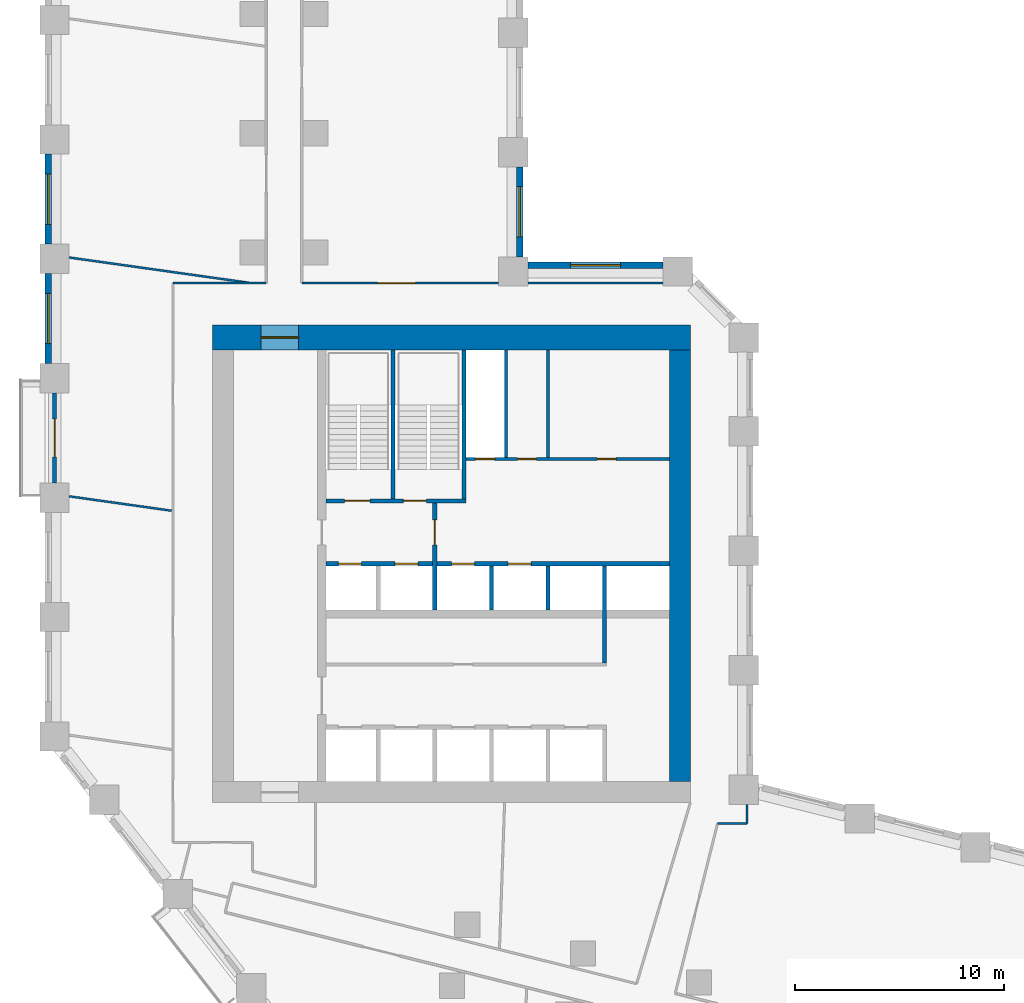
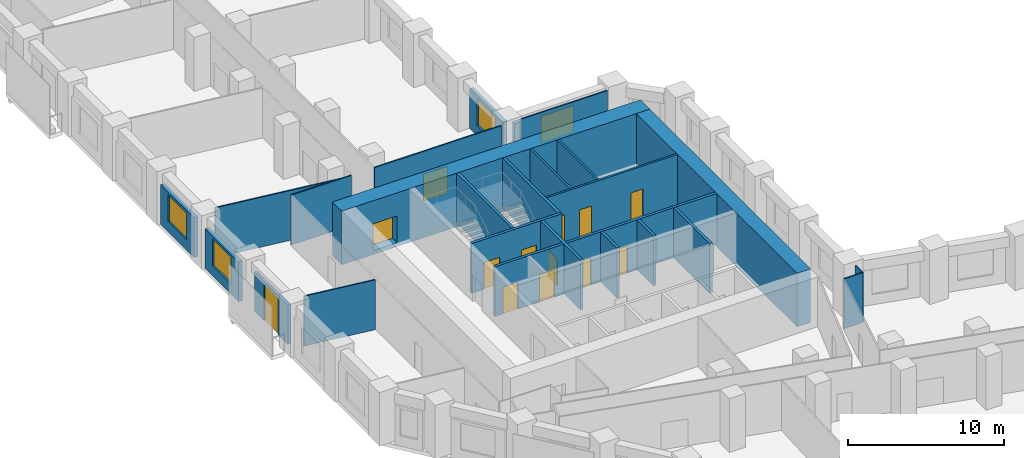
# One storey, part 5 of 11: 25 walls, 13 doors, 4 windows, 17 openings.
"""IFC4 building model written with IfcOpenShell, lengths in metres."""

import ifcopenshell
import ifcopenshell.guid

model = None  # the IFC model being written
_history = None  # IfcOwnerHistory: only IFC2X3 demands one
_inside = {}  # id of a spatial element -> (the spatial element, [elements in it])
_under = {}  # id of a project, library or spatial element -> (it, [spatial elements below it])
_declared = {}  # id of a project -> (the project, [libraries it declares])
_typed = {}  # id of a type object -> (the type object, [elements of that type])
_made_of = {}  # id of a material, layer set ... -> (it, [elements and type objects made of it])


def new_model(schema):
    """Start an empty IFC model of exactly this schema.

    Asked for "IFC4X3", IfcOpenShell would pick the latest addendum, in which some entities
    have other attributes; the version numbers below select the first issue.
    IFC2X3 requires an IfcOwnerHistory on every rooted entity: one is made here for all.
    """
    global model, _history
    if schema == "IFC4X3":
        model = ifcopenshell.file(schema_version=(4, 3, 0, 0))
    else:
        model = ifcopenshell.file(schema=schema)
    _inside.clear()
    _under.clear()
    _declared.clear()
    _typed.clear()
    _made_of.clear()
    _history = None
    if model.schema == "IFC2X3":
        org = make("IfcOrganization", Name="unknown")
        user = make(
            "IfcPersonAndOrganization",
            ThePerson=make("IfcPerson", FamilyName="unknown"),
            TheOrganization=org,
        )
        app = make(
            "IfcApplication",
            ApplicationDeveloper=org,
            Version="unknown",
            ApplicationFullName="unknown",
            ApplicationIdentifier="unknown",
        )
        _history = make(
            "IfcOwnerHistory",
            OwningUser=user,
            OwningApplication=app,
            ChangeAction="ADDED",
            CreationDate=0,
        )
    return model


def make(cls, **values):
    """One entity of the class cls with the attributes given. An attribute that is None is left unset."""
    return model.create_entity(
        cls, **{name: value for name, value in values.items() if value is not None}
    )


def rooted(cls, **values):
    """An entity with a GlobalId (a new one), such as an element, a storey or a relation."""
    return make(cls, GlobalId=ifcopenshell.guid.new(), OwnerHistory=_history, **values)


def si_unit(unit_type, name, prefix=None):
    """IfcSIUnit, for example si_unit("LENGTHUNIT", "METRE", prefix="MILLI")."""
    return make("IfcSIUnit", UnitType=unit_type, Prefix=prefix, Name=name)


def assignment(units):
    """IfcUnitAssignment: the units of a project."""
    return None if units is None else make("IfcUnitAssignment", Units=units)


def point(xyz):
    """IfcCartesianPoint."""
    return None if xyz is None else make("IfcCartesianPoint", Coordinates=xyz)


def direction(xyz):
    """IfcDirection."""
    return None if xyz is None else make("IfcDirection", DirectionRatios=xyz)


def frame(location, z_axis=None, x_axis=None):
    """IfcAxis2Placement3D, a coordinate frame: its origin and axes. An axis left out is left unset."""
    return make(
        "IfcAxis2Placement3D",
        Location=point(location),
        Axis=direction(z_axis),
        RefDirection=direction(x_axis),
    )


def frame_2d(location, x_axis=None):
    """IfcAxis2Placement2D, a coordinate frame in the plane: its origin and x axis."""
    return make(
        "IfcAxis2Placement2D", Location=point(location), RefDirection=direction(x_axis)
    )


def origin():
    """The frame at (0, 0, 0) with its axes left unset."""
    return frame((0.0, 0.0, 0.0))


def place(relative_to, where):
    """IfcLocalPlacement: puts the frame where relative to a parent placement (None: the world)."""
    return make(
        "IfcLocalPlacement", PlacementRelTo=relative_to, RelativePlacement=where
    )


def context(
    kind, dimensions, precision=None, world=None, true_north=None, identifier=None
):
    """IfcGeometricRepresentationContext, for example the 3D "Model" context."""
    return make(
        "IfcGeometricRepresentationContext",
        ContextIdentifier=identifier,
        ContextType=kind,
        CoordinateSpaceDimension=dimensions,
        Precision=precision,
        WorldCoordinateSystem=world,
        TrueNorth=true_north,
    )


def subcontext(parent, identifier, kind, view, scale=None):
    """IfcGeometricRepresentationSubContext, for example "Body" below "Model"."""
    return make(
        "IfcGeometricRepresentationSubContext",
        ContextIdentifier=identifier,
        ContextType=kind,
        ParentContext=parent,
        TargetScale=scale,
        TargetView=view,
    )


def project(units=None, contexts=None):
    """IfcProject with its units and contexts."""
    return rooted(
        "IfcProject",
        Name="project",
        RepresentationContexts=contexts,
        UnitsInContext=assignment(units),
    )


def spatial(cls, under=None, at=None, **own):
    """A site, building, storey or space (cls), placed at a placement, below another one or the project."""
    s = rooted(cls, ObjectPlacement=at, **own)
    if under is not None:
        _under.setdefault(under.id(), (under, []))[1].append(s)
    return s


def profile(cls, at=None, kind="AREA", **sizes):
    """A parametric profile (cls). Its sizes go by their IFC names, for example OverallWidth=200.0."""
    return make(cls, ProfileType=kind, Position=at, **sizes)


def rectangle(**sizes):
    """IfcRectangleProfileDef."""
    return profile("IfcRectangleProfileDef", **sizes)


def extrude(swept, where, along, depth):
    """IfcExtrudedAreaSolid: the profile swept, set in the frame where, extruded along a direction by depth."""
    return make(
        "IfcExtrudedAreaSolid",
        SweptArea=swept,
        Position=where,
        ExtrudedDirection=direction(along),
        Depth=depth,
    )


def shape(context_of_items, identifier, shape_type, items):
    """IfcShapeRepresentation: the items that make up one representation, for example the "Body"."""
    return make(
        "IfcShapeRepresentation",
        ContextOfItems=context_of_items,
        RepresentationIdentifier=identifier,
        RepresentationType=shape_type,
        Items=items,
    )


def material(Name=None, Category=None):
    """IfcMaterial."""
    return make("IfcMaterial", Name=Name, Category=Category)


def layer(
    of_material, thickness, ventilated=None, Name=None, Category=None, Priority=None
):
    """IfcMaterialLayer: one layer of a wall or slab, of a material (None: an air gap)."""
    return make(
        "IfcMaterialLayer",
        Material=of_material,
        LayerThickness=thickness,
        IsVentilated=ventilated,
        Name=Name,
        Category=Category,
        Priority=Priority,
    )


def layer_set(layers, Name=None):
    """IfcMaterialLayerSet."""
    return make("IfcMaterialLayerSet", MaterialLayers=layers, LayerSetName=Name)


def made_of(thing, what):
    """Note that an element or type object is made of a material, layer set ...; save() writes the relation."""
    if what is not None:
        _made_of.setdefault(what.id(), (what, []))[1].append(thing)
    return thing


def type_object(cls, material=None, **own):
    """A type object (cls), such as IfcWallType, which elements share."""
    return made_of(rooted(cls, **own), material)


def element(
    cls,
    number,
    at=None,
    inside=None,
    cuts=None,
    type_object=None,
    material=None,
    context=None,
    identifier="Body",
    shape_type=None,
    held_by="IfcProductDefinitionShape",
    body=None,
    shapes=None,
    **own,
):
    """One element of the class cls, such as IfcWall. Its Tag is "e" and its number.

    at: its placement. inside: the storey or other place that contains it. cuts: it is an
    opening in that element (IfcRelVoidsElement). A single representation is given by context,
    identifier, shape_type and body (its items); several are given by shapes. held_by: the class
    of the entity that holds the representations. save() writes the other relations.
    """
    e = rooted(cls, Tag="e%d" % number, ObjectPlacement=at, **own)
    if body is not None:
        shapes = [shape(context, identifier, shape_type, body)]
    if shapes is not None:
        e.Representation = make(held_by, Representations=shapes)
    if inside is not None:
        _inside.setdefault(inside.id(), (inside, []))[1].append(e)
    if cuts is not None:
        rooted(
            "IfcRelVoidsElement", RelatingBuildingElement=cuts, RelatedOpeningElement=e
        )
    if type_object is not None:
        _typed.setdefault(type_object.id(), (type_object, []))[1].append(e)
    return made_of(e, material)


def fill(opening, filler):
    """IfcRelFillsElement: the door or window that sits in an opening."""
    return rooted(
        "IfcRelFillsElement",
        RelatingOpeningElement=opening,
        RelatedBuildingElement=filler,
    )


def aggregate(whole, parts):
    """IfcRelAggregates: a whole, such as a stair, and the parts it consists of."""
    return rooted("IfcRelAggregates", RelatingObject=whole, RelatedObjects=parts)


def save(model, path):
    """Write the relations noted so far, then the file.

    IfcRelAggregates (storeys below a building ...), IfcRelContainedInSpatialStructure (elements
    in a storey), IfcRelDefinesByType, IfcRelAssociatesMaterial and IfcRelDeclares: one each for
    every whole, place, type object, material and project.
    """
    for whole, parts in _under.values():
        aggregate(whole, parts)
    for where, things in _inside.values():
        rooted(
            "IfcRelContainedInSpatialStructure",
            RelatedElements=things,
            RelatingStructure=where,
        )
    for kind, things in _typed.values():
        rooted("IfcRelDefinesByType", RelatedObjects=things, RelatingType=kind)
    for what, things in _made_of.values():
        rooted("IfcRelAssociatesMaterial", RelatedObjects=things, RelatingMaterial=what)
    for by, libraries in _declared.values():
        rooted("IfcRelDeclares", RelatingContext=by, RelatedDefinitions=libraries)
    model.write(path)


model = new_model("IFC4")

# Units and contexts
model_context = context("Model", 3, precision=1e-05, world=origin(), true_north=direction((0.0, 1.0)))
body_context = subcontext(model_context, "Body", "Model", "MODEL_VIEW")
ifc_project = project(units=[si_unit("LENGTHUNIT", "METRE"), si_unit("AREAUNIT", "SQUARE_METRE"), si_unit("VOLUMEUNIT", "CUBIC_METRE"), si_unit("PLANEANGLEUNIT", "RADIAN"), si_unit("MASSUNIT", "GRAM", prefix="KILO")], contexts=[model_context])

# Site, building, storey
site_placement = place(None, origin())
site = spatial("IfcSite", under=ifc_project, at=site_placement, CompositionType="ELEMENT")
building_placement = place(site_placement, origin())
building = spatial("IfcBuilding", under=site, at=building_placement, Name="Meshkara Civic Tower", CompositionType="ELEMENT")
storey_placement = place(building_placement, frame((0.0, 0.0, 75.0)))
storey = spatial("IfcBuildingStorey", under=building, at=storey_placement, Name="L16", CompositionType="ELEMENT", Elevation=75.0)

# Wall, openings, doors
ifc_material_1 = material(Name="Blockwork", Category="masonry")
ifc_layer_1 = layer(ifc_material_1, 0.14990234375)
ifc_layer_set_1 = layer_set([ifc_layer_1], Name="Core partition 150")
wall_type_1 = type_object("IfcWallType", Name="Core partition 150", PredefinedType="PARTITIONING", material=ifc_layer_set_1)
wall_1_placement = place(storey_placement, frame((20.10009765625, 30.5, 0.0), z_axis=(0.0, 0.0, 1.0), x_axis=(1.0, 0.0, 0.0)))
wall_1 = element("IfcWall", 1, at=wall_1_placement, inside=storey, type_object=wall_type_1, Name="L16-C010", PredefinedType="PARTITIONING", context=body_context, shape_type="SweptSolid", body=[
    extrude(rectangle(XDim=9.699951171875, YDim=0.14990234375, at=frame_2d((4.85009765625, 0.0))), origin(), (0.0, 0.0, 1.0), 3.89990234375),
])
opening_1_placement = place(wall_1_placement, frame((0.449951171875, 0.0, 0.0)))
opening_1 = element("IfcOpeningElement", 2, at=opening_1_placement, cuts=wall_1, Name="Opening L16-K011", PredefinedType="OPENING", context=body_context, shape_type="SweptSolid", body=[
    extrude(rectangle(XDim=0.89990234375, YDim=2.10009765625, at=frame_2d((0.449951171875, 1.050048828125))), frame((0.0, 0.0849609375, 0.0), z_axis=(0.0, -1.0, 0.0), x_axis=(1.0, 0.0, 0.0)), (0.0, 0.0, 1.0), 0.169921875),
])
opening_2_placement = place(wall_1_placement, frame((2.449951171875, 0.0, 0.0)))
opening_2 = element("IfcOpeningElement", 3, at=opening_2_placement, cuts=wall_1, Name="Opening L16-K012", PredefinedType="OPENING", context=body_context, shape_type="SweptSolid", body=[
    extrude(rectangle(XDim=0.89990234375, YDim=2.10009765625, at=frame_2d((0.449951171875, 1.050048828125))), frame((0.0, 0.0849609375, 0.0), z_axis=(0.0, -1.0, 0.0), x_axis=(1.0, 0.0, 0.0)), (0.0, 0.0, 1.0), 0.169921875),
])
opening_3_placement = place(wall_1_placement, frame((6.25, 0.0, 0.0)))
opening_3 = element("IfcOpeningElement", 4, at=opening_3_placement, cuts=wall_1, Name="Opening L16-K013", PredefinedType="OPENING", context=body_context, shape_type="SweptSolid", body=[
    extrude(rectangle(XDim=0.89990234375, YDim=2.10009765625, at=frame_2d((0.449951171875, 1.050048828125))), frame((0.0, 0.0849609375, 0.0), z_axis=(0.0, -1.0, 0.0), x_axis=(1.0, 0.0, 0.0)), (0.0, 0.0, 1.0), 0.169921875),
])
ifc_material_2 = material(Name="Timber door leaf in steel frame", Category="steel")
door_type_1 = type_object("IfcDoorType", Name="Core room door 900", OperationType="SINGLE_SWING_LEFT", PredefinedType="DOOR", material=ifc_material_2)
door_1_placement = place(opening_3_placement, origin())
door_1 = element("IfcDoor", 5, at=door_1_placement, inside=storey, type_object=door_type_1, Name="L16-K013", OperationType="SINGLE_SWING_RIGHT", OverallHeight=2.10009765625, OverallWidth=0.89990234375, PredefinedType="DOOR", context=body_context, shape_type="SweptSolid", body=[
    extrude(rectangle(XDim=0.89990234375, YDim=2.10009765625, at=frame_2d((0.449951171875, 1.050048828125))), frame((0.0, 0.02490234375, 0.0), z_axis=(0.0, -1.0, 0.0), x_axis=(1.0, 0.0, 0.0)), (0.0, 0.0, 1.0), 0.050048828125),
])
fill(opening_3, door_1)
ifc_material_3 = material(Name="Fire-rated door leaf in steel frame", Category="steel")
door_type_2 = type_object("IfcDoorType", Name="Riser door 900", OperationType="SINGLE_SWING_LEFT", PredefinedType="DOOR", material=ifc_material_3)
door_2_placement = place(opening_1_placement, origin())
door_2 = element("IfcDoor", 6, at=door_2_placement, inside=storey, type_object=door_type_2, Name="L16-K011", OperationType="SINGLE_SWING_RIGHT", OverallHeight=2.10009765625, OverallWidth=0.89990234375, PredefinedType="DOOR", context=body_context, shape_type="SweptSolid", body=[
    extrude(rectangle(XDim=0.89990234375, YDim=2.10009765625, at=frame_2d((0.449951171875, 1.050048828125))), frame((0.0, 0.02490234375, 0.0), z_axis=(0.0, -1.0, 0.0), x_axis=(1.0, 0.0, 0.0)), (0.0, 0.0, 1.0), 0.050048828125),
])
fill(opening_1, door_2)
ifc_material_4 = material(Name="Timber door leaf in steel frame", Category="steel")
door_type_3 = type_object("IfcDoorType", Name="WC door 900", OperationType="SINGLE_SWING_LEFT", PredefinedType="DOOR", material=ifc_material_4)
door_3_placement = place(opening_2_placement, origin())
door_3 = element("IfcDoor", 7, at=door_3_placement, inside=storey, type_object=door_type_3, Name="L16-K012", OperationType="SINGLE_SWING_LEFT", OverallHeight=2.10009765625, OverallWidth=0.89990234375, PredefinedType="DOOR", context=body_context, shape_type="SweptSolid", body=[
    extrude(rectangle(XDim=0.89990234375, YDim=2.10009765625, at=frame_2d((0.449951171875, 1.050048828125))), frame((0.0, 0.02490234375, 0.0), z_axis=(0.0, -1.0, 0.0), x_axis=(1.0, 0.0, 0.0)), (0.0, 0.0, 1.0), 0.050048828125),
])
fill(opening_2, door_3)

# Walls
for number, where, z_axis, x_axis, name in (
    (8, (22.0, 30.574951171875, 0.0), (0.0, 0.0, 1.0), (0.0, 1.0, 0.0), "L16-C020"),
    (9, (24.0, 30.574951171875, 0.0), (0.0, 0.0, 1.0), (0.0, 1.0, 0.0), "L16-C023"),
):
    element("IfcWall", number, at=place(storey_placement, frame(where, z_axis=z_axis, x_axis=x_axis)), inside=storey, type_object=wall_type_1, Name=name, PredefinedType="PARTITIONING", context=body_context, shape_type="SweptSolid", body=[
        extrude(rectangle(XDim=5.125, YDim=0.14990234375, at=frame_2d((2.5625, 0.0))), origin(), (0.0, 0.0, 1.0), 3.89990234375),
    ])
ifc_material_5 = material(Name="Concrete C80", Category="concrete")
ifc_layer_2 = layer(ifc_material_5, 1.0)
ifc_layer_set_2 = layer_set([ifc_layer_2], Name="Core ring wall 1000 C80")
wall_type_2 = type_object("IfcWallType", Name="Core ring wall 1000 C80", PredefinedType="SHEAR", material=ifc_layer_set_2)
wall_2_placement = place(storey_placement, frame((30.300048828125, 15.10009765625, -0.300048828125), z_axis=(0.0, 0.0, 1.0), x_axis=(0.0, 1.0, 0.0)))
element("IfcWall", 10, at=wall_2_placement, inside=storey, type_object=wall_type_2, Name="L16-C004", PredefinedType="SHEAR", context=body_context, shape_type="SweptSolid", body=[
    extrude(rectangle(XDim=20.599853515625, YDim=1.0, at=frame_2d((10.2998046875, 0.0))), origin(), (0.0, 0.0, 1.0), 4.199951171875),
])

# Wall, opening, door
ifc_material_6 = material(Name="Concrete C80", Category="concrete")
ifc_layer_3 = layer(ifc_material_6, 1.199951171875)
ifc_layer_set_3 = layer_set([ifc_layer_3], Name="Core ring wall 1200 C80")
wall_type_3 = type_object("IfcWallType", Name="Core ring wall 1200 C80", PredefinedType="SHEAR", material=ifc_layer_set_3)
wall_3_placement = place(storey_placement, frame((8.0, 36.300048828125, -0.300048828125), z_axis=(0.0, 0.0, 1.0), x_axis=(1.0, 0.0, 0.0)))
wall_3 = element("IfcWall", 11, at=wall_3_placement, inside=storey, type_object=wall_type_3, Name="L16-C002", PredefinedType="SHEAR", context=body_context, shape_type="SweptSolid", body=[
    extrude(rectangle(XDim=22.800048828125, YDim=1.199951171875, at=frame_2d((11.39990234375, 0.0))), origin(), (0.0, 0.0, 1.0), 4.199951171875),
])
opening_4_placement = place(wall_3_placement, frame((2.300048828125, 0.0, 0.300048828125)))
opening_4 = element("IfcOpeningElement", 12, at=opening_4_placement, cuts=wall_3, Name="Opening L16-K019", PredefinedType="OPENING", context=body_context, shape_type="SweptSolid", body=[
    extrude(rectangle(XDim=1.800048828125, YDim=2.10009765625, at=frame_2d((0.89990234375, 1.050048828125))), frame((0.0, 0.60986328125, 0.0), z_axis=(0.0, -1.0, 0.0), x_axis=(1.0, 0.0, 0.0)), (0.0, 0.0, 1.0), 1.219970703125),
])
ifc_material_7 = material(Name="Fire-rated door leaf in steel frame", Category="steel")
door_type_4 = type_object("IfcDoorType", Name="Core double door 1800 EI 60", OperationType="DOUBLE_DOOR_SINGLE_SWING", PredefinedType="DOOR", material=ifc_material_7)
door_4_placement = place(opening_4_placement, origin())
door_4 = element("IfcDoor", 13, at=door_4_placement, inside=storey, type_object=door_type_4, Name="L16-K019", OperationType="DOUBLE_DOOR_SINGLE_SWING", OverallHeight=2.10009765625, OverallWidth=1.800048828125, PredefinedType="DOOR", context=body_context, shape_type="SweptSolid", body=[
    extrude(rectangle(XDim=1.800048828125, YDim=2.10009765625, at=frame_2d((0.89990234375, 1.050048828125))), frame((0.0, 0.02490234375, 0.0), z_axis=(0.0, -1.0, 0.0), x_axis=(1.0, 0.0, 0.0)), (0.0, 0.0, 1.0), 0.050048828125),
])
fill(opening_4, door_4)

# Wall
ifc_material_8 = material(Name="Corridor wall 100")
ifc_layer_4 = layer(ifc_material_8, 0.10009765625)
ifc_layer_set_4 = layer_set([ifc_layer_4], Name="Corridor wall 100")
wall_type_4 = type_object("IfcWallType", Name="Corridor wall 100", PredefinedType="PARTITIONING", material=ifc_layer_set_4)
wall_4_placement = place(storey_placement, frame((6.10009765625, 38.89990234375, 0.0), z_axis=(0.0, 0.0, 1.0), x_axis=(1.0, 0.0, 0.0)))
element("IfcWall", 14, at=wall_4_placement, inside=storey, type_object=wall_type_4, Name="L16-W006", PredefinedType="PARTITIONING", context=body_context, shape_type="SweptSolid", body=[
    extrude(rectangle(XDim=4.449951171875, YDim=0.10009765625, at=frame_2d((2.22509765625, 0.0))), origin(), (0.0, 0.0, 1.0), 3.89990234375),
])

# Wall, opening, door
wall_5_placement = place(storey_placement, frame((21.64990234375, 38.89990234375, 0.0), z_axis=(0.0, 0.0, 1.0), x_axis=(-1.0, 0.0, 0.0)))
wall_5 = element("IfcWall", 15, at=wall_5_placement, inside=storey, type_object=wall_type_4, Name="L16-W018", PredefinedType="PARTITIONING", context=body_context, shape_type="SweptSolid", body=[
    extrude(rectangle(XDim=9.39990234375, YDim=0.10009765625, at=frame_2d((4.699951171875, 0.0))), origin(), (0.0, 0.0, 1.0), 3.89990234375),
])
opening_5_placement = place(wall_5_placement, frame((3.97998046875, 0.0, 0.0)))
opening_5 = element("IfcOpeningElement", 16, at=opening_5_placement, cuts=wall_5, Name="Opening L16-D020", PredefinedType="OPENING", context=body_context, shape_type="SweptSolid", body=[
    extrude(rectangle(XDim=1.800048828125, YDim=2.10009765625, at=frame_2d((0.89990234375, 1.050048828125))), frame((0.0, 0.06005859375, 0.0), z_axis=(0.0, -1.0, 0.0), x_axis=(1.0, 0.0, 0.0)), (0.0, 0.0, 1.0), 0.1201171875),
])
ifc_material_9 = material(Name="Door pair 1800 x 2100")
door_type_5 = type_object("IfcDoorType", Name="Door pair 1800 x 2100", OperationType="SINGLE_SWING_LEFT", PredefinedType="DOOR", material=ifc_material_9)
door_5_placement = place(opening_5_placement, origin())
door_5 = element("IfcDoor", 17, at=door_5_placement, inside=storey, type_object=door_type_5, Name="L16-D020", OperationType="DOUBLE_DOOR_SINGLE_SWING", OverallHeight=2.10009765625, OverallWidth=1.800048828125, PredefinedType="DOOR", context=body_context, shape_type="SweptSolid", body=[
    extrude(rectangle(XDim=1.800048828125, YDim=2.10009765625, at=frame_2d((0.89990234375, 1.050048828125))), frame((0.0, 0.02490234375, 0.0), z_axis=(0.0, -1.0, 0.0), x_axis=(1.0, 0.0, 0.0)), (0.0, 0.0, 1.0), 0.050048828125),
])
fill(opening_5, door_5)

# Walls
wall_6_placement = place(storey_placement, frame((29.493896484375, 38.89990234375, 0.0), z_axis=(0.0, 0.0, 1.0), x_axis=(-1.0, 0.0, 0.0)))
element("IfcWall", 18, at=wall_6_placement, inside=storey, type_object=wall_type_4, Name="L16-W019", PredefinedType="PARTITIONING", context=body_context, shape_type="SweptSolid", body=[
    extrude(rectangle(XDim=6.44384765625, YDim=0.10009765625, at=frame_2d((3.221923828125, 0.0))), origin(), (0.0, 0.0, 1.0), 3.89990234375),
])
wall_7_placement = place(storey_placement, frame((32.096923828125, 13.10009765625, 0.0), z_axis=(0.0, 0.0, 1.0), x_axis=(1.0, 0.0, 0.0)))
element("IfcWall", 19, at=wall_7_placement, inside=storey, type_object=wall_type_4, Name="L16-W023", PredefinedType="PARTITIONING", context=body_context, shape_type="SweptSolid", body=[
    extrude(rectangle(XDim=1.403076171875, YDim=0.10009765625, at=frame_2d((0.70166015625, 0.0))), origin(), (0.0, 0.0, 1.0), 3.89990234375),
])
wall_8_placement = place(storey_placement, frame((33.5, 13.10009765625, 0.0), z_axis=(0.0, 0.0, 1.0), x_axis=(0.0, 1.0, 0.0)))
element("IfcWall", 20, at=wall_8_placement, inside=storey, type_object=wall_type_4, Name="L16-W024", PredefinedType="PARTITIONING", context=body_context, shape_type="SweptSolid", body=[
    extrude(rectangle(XDim=0.9189453125, YDim=0.10009765625, at=frame_2d((0.45947265625, 0.0))), origin(), (0.0, 0.0, 1.0), 3.89990234375),
])

# Wall, opening, window
ifc_material_10 = material(Name="Insulated infill panel with bronze anodised aluminium cladding", Category="aluminium")
ifc_layer_5 = layer(ifc_material_10, 0.300048828125)
ifc_layer_set_5 = layer_set([ifc_layer_5], Name="EXTERNAL INFILL WALL 300")
wall_type_5 = type_object("IfcWallType", Name="EXTERNAL INFILL WALL 300", PredefinedType="SOLIDWALL", material=ifc_layer_set_5)
wall_9_placement = place(storey_placement, frame((29.493896484375, 39.75, 0.0), z_axis=(0.0, 0.0, 1.0), x_axis=(-1.0, 0.0, 0.0)))
wall_9 = element("IfcWall", 21, at=wall_9_placement, inside=storey, type_object=wall_type_5, Name="External wall", PredefinedType="SOLIDWALL", context=body_context, shape_type="SweptSolid", body=[
    extrude(rectangle(XDim=6.44384765625, YDim=0.300048828125, at=frame_2d((3.221923828125, 0.0))), origin(), (0.0, 0.0, 1.0), 3.10009765625),
])
opening_6_placement = place(wall_9_placement, frame((2.02197265625, 0.0, 0.800048828125)))
opening_6 = element("IfcOpeningElement", 22, at=opening_6_placement, cuts=wall_9, Name="Opening W7", PredefinedType="OPENING", context=body_context, shape_type="SweptSolid", body=[
    extrude(rectangle(XDim=2.39990234375, YDim=2.10009765625, at=frame_2d((1.199951171875, 1.050048828125))), frame((0.0, 0.159912109375, 0.0), z_axis=(0.0, -1.0, 0.0), x_axis=(1.0, 0.0, 0.0)), (0.0, 0.0, 1.0), 0.320068359375),
])
ifc_material_11 = material(Name="Tinted double glazing", Category="glass")
window_type = type_object("IfcWindowType", Name="WINDOW 2400x2100", PartitioningType="DOUBLE_PANEL_VERTICAL", PredefinedType="WINDOW", material=ifc_material_11)
window_1_placement = place(opening_6_placement, origin())
window_1 = element("IfcWindow", 23, at=window_1_placement, inside=storey, type_object=window_type, Name="Window", OverallHeight=2.10009765625, OverallWidth=2.39990234375, PartitioningType="DOUBLE_PANEL_VERTICAL", PredefinedType="WINDOW", context=body_context, shape_type="SweptSolid", body=[
    extrude(rectangle(XDim=2.39990234375, YDim=2.10009765625, at=frame_2d((1.199951171875, 1.050048828125))), frame((0.0, 0.030029296875, 0.0), z_axis=(0.0, -1.0, 0.0), x_axis=(1.0, 0.0, 0.0)), (0.0, 0.0, 1.0), 0.06005859375),
])
fill(opening_6, window_1)

wall_10_placement = place(storey_placement, frame((22.64990234375, 40.14990234375, 0.0), z_axis=(0.0, 0.0, 1.0), x_axis=(0.0, 1.0, 0.0)))
wall_10 = element("IfcWall", 24, at=wall_10_placement, inside=storey, type_object=wall_type_5, Name="External wall", PredefinedType="SOLIDWALL", context=body_context, shape_type="SweptSolid", body=[
    extrude(rectangle(XDim=4.300048828125, YDim=0.300048828125, at=frame_2d((2.14990234375, 0.0))), origin(), (0.0, 0.0, 1.0), 3.10009765625),
])
opening_7_placement = place(wall_10_placement, frame((0.949951171875, 0.0, 0.800048828125)))
opening_7 = element("IfcOpeningElement", 25, at=opening_7_placement, cuts=wall_10, Name="Opening W7", PredefinedType="OPENING", context=body_context, shape_type="SweptSolid", body=[
    extrude(rectangle(XDim=2.39990234375, YDim=2.10009765625, at=frame_2d((1.199951171875, 1.050048828125))), frame((0.0, 0.159912109375, 0.0), z_axis=(0.0, -1.0, 0.0), x_axis=(1.0, 0.0, 0.0)), (0.0, 0.0, 1.0), 0.320068359375),
])
window_2_placement = place(opening_7_placement, origin())
window_2 = element("IfcWindow", 26, at=window_2_placement, inside=storey, type_object=window_type, Name="Window", OverallHeight=2.10009765625, OverallWidth=2.39990234375, PartitioningType="DOUBLE_PANEL_VERTICAL", PredefinedType="WINDOW", context=body_context, shape_type="SweptSolid", body=[
    extrude(rectangle(XDim=2.39990234375, YDim=2.10009765625, at=frame_2d((1.199951171875, 1.050048828125))), frame((0.0, 0.030029296875, 0.0), z_axis=(0.0, -1.0, 0.0), x_axis=(1.0, 0.0, 0.0)), (0.0, 0.0, 1.0), 0.06005859375),
])
fill(opening_7, window_2)

wall_11_placement = place(storey_placement, frame((0.14990234375, 45.054931640625, 0.0), z_axis=(0.0, 0.0, 1.0), x_axis=(0.0, -1.0, 0.0)))
wall_11 = element("IfcWall", 27, at=wall_11_placement, inside=storey, type_object=wall_type_5, Name="External wall", PredefinedType="SOLIDWALL", context=body_context, shape_type="SweptSolid", body=[
    extrude(rectangle(XDim=4.300048828125, YDim=0.300048828125, at=frame_2d((2.14990234375, 0.0))), origin(), (0.0, 0.0, 1.0), 3.10009765625),
])
opening_8_placement = place(wall_11_placement, frame((0.949951171875, 0.0, 0.800048828125)))
opening_8 = element("IfcOpeningElement", 28, at=opening_8_placement, cuts=wall_11, Name="Opening W7", PredefinedType="OPENING", context=body_context, shape_type="SweptSolid", body=[
    extrude(rectangle(XDim=2.39990234375, YDim=2.10009765625, at=frame_2d((1.199951171875, 1.050048828125))), frame((0.0, 0.159912109375, 0.0), z_axis=(0.0, -1.0, 0.0), x_axis=(1.0, 0.0, 0.0)), (0.0, 0.0, 1.0), 0.320068359375),
])
window_3_placement = place(opening_8_placement, origin())
window_3 = element("IfcWindow", 29, at=window_3_placement, inside=storey, type_object=window_type, Name="Window", OverallHeight=2.10009765625, OverallWidth=2.39990234375, PartitioningType="DOUBLE_PANEL_VERTICAL", PredefinedType="WINDOW", context=body_context, shape_type="SweptSolid", body=[
    extrude(rectangle(XDim=2.39990234375, YDim=2.10009765625, at=frame_2d((1.199951171875, 1.050048828125))), frame((0.0, 0.030029296875, 0.0), z_axis=(0.0, -1.0, 0.0), x_axis=(1.0, 0.0, 0.0)), (0.0, 0.0, 1.0), 0.06005859375),
])
fill(opening_8, window_3)

wall_12_placement = place(storey_placement, frame((0.14990234375, 39.35498046875, 0.0), z_axis=(0.0, 0.0, 1.0), x_axis=(0.0, -1.0, 0.0)))
wall_12 = element("IfcWall", 30, at=wall_12_placement, inside=storey, type_object=wall_type_5, Name="External wall", PredefinedType="SOLIDWALL", context=body_context, shape_type="SweptSolid", body=[
    extrude(rectangle(XDim=4.300048828125, YDim=0.300048828125, at=frame_2d((2.14990234375, 0.0))), origin(), (0.0, 0.0, 1.0), 3.10009765625),
])
opening_9_placement = place(wall_12_placement, frame((0.949951171875, 0.0, 0.800048828125)))
opening_9 = element("IfcOpeningElement", 31, at=opening_9_placement, cuts=wall_12, Name="Opening W7", PredefinedType="OPENING", context=body_context, shape_type="SweptSolid", body=[
    extrude(rectangle(XDim=2.39990234375, YDim=2.10009765625, at=frame_2d((1.199951171875, 1.050048828125))), frame((0.0, 0.159912109375, 0.0), z_axis=(0.0, -1.0, 0.0), x_axis=(1.0, 0.0, 0.0)), (0.0, 0.0, 1.0), 0.320068359375),
])
window_4_placement = place(opening_9_placement, origin())
window_4 = element("IfcWindow", 32, at=window_4_placement, inside=storey, type_object=window_type, Name="Window", OverallHeight=2.10009765625, OverallWidth=2.39990234375, PartitioningType="DOUBLE_PANEL_VERTICAL", PredefinedType="WINDOW", context=body_context, shape_type="SweptSolid", body=[
    extrude(rectangle(XDim=2.39990234375, YDim=2.10009765625, at=frame_2d((1.199951171875, 1.050048828125))), frame((0.0, 0.030029296875, 0.0), z_axis=(0.0, -1.0, 0.0), x_axis=(1.0, 0.0, 0.0)), (0.0, 0.0, 1.0), 0.06005859375),
])
fill(opening_9, window_4)

# Wall, opening, door
ifc_material_12 = material(Name="Insulated infill panel with bronze anodised aluminium cladding", Category="aluminium")
ifc_layer_6 = layer(ifc_material_12, 0.199951171875)
ifc_layer_set_6 = layer_set([ifc_layer_6], Name="LOGGIA BACK WALL 200")
wall_type_6 = type_object("IfcWallType", Name="LOGGIA BACK WALL 200", PredefinedType="SOLIDWALL", material=ifc_layer_set_6)
wall_13_placement = place(storey_placement, frame((0.449951171875, 33.654052734375, 0.0), z_axis=(0.0, 0.0, 1.0), x_axis=(0.0, -1.0, 0.0)))
wall_13 = element("IfcWall", 33, at=wall_13_placement, inside=storey, type_object=wall_type_6, Name="Loggia wall", PredefinedType="SOLIDWALL", context=body_context, shape_type="SweptSolid", body=[
    extrude(rectangle(XDim=4.298095703125, YDim=0.199951171875, at=frame_2d((2.14892578125, 0.0))), origin(), (0.0, 0.0, 1.0), 3.10009765625),
])
opening_10_placement = place(wall_13_placement, frame((1.2490234375, 0.0, 0.0)))
opening_10 = element("IfcOpeningElement", 34, at=opening_10_placement, cuts=wall_13, Name="Opening L16-L002", PredefinedType="OPENING", context=body_context, shape_type="SweptSolid", body=[
    extrude(rectangle(XDim=1.800048828125, YDim=2.89990234375, at=frame_2d((0.89990234375, 1.449951171875))), frame((0.0, 0.10986328125, 0.0), z_axis=(0.0, -1.0, 0.0), x_axis=(1.0, 0.0, 0.0)), (0.0, 0.0, 1.0), 0.219970703125),
])
ifc_material_13 = material(Name="Tinted double glazing", Category="glass")
door_type_6 = type_object("IfcDoorType", Name="LOGGIA DOOR 1800x2900", OperationType="DOUBLE_DOOR_SINGLE_SWING", PredefinedType="DOOR", material=ifc_material_13)
door_6_placement = place(opening_10_placement, origin())
door_6 = element("IfcDoor", 35, at=door_6_placement, inside=storey, type_object=door_type_6, Name="L16-L002", OperationType="DOUBLE_DOOR_SINGLE_SWING", OverallHeight=2.89990234375, OverallWidth=1.800048828125, PredefinedType="DOOR", context=body_context, shape_type="SweptSolid", body=[
    extrude(rectangle(XDim=1.800048828125, YDim=2.89990234375, at=frame_2d((0.89990234375, 1.449951171875))), frame((0.0, 0.02490234375, 0.0), z_axis=(0.0, -1.0, 0.0), x_axis=(1.0, 0.0, 0.0)), (0.0, 0.0, 1.0), 0.050048828125),
])
fill(opening_10, door_6)

# Walls
ifc_material_14 = material(Name="Partition 100")
ifc_layer_7 = layer(ifc_material_14, 0.10009765625)
ifc_layer_set_7 = layer_set([ifc_layer_7], Name="Partition 100")
wall_type_7 = type_object("IfcWallType", Name="Partition 100", PredefinedType="PARTITIONING", material=ifc_layer_set_7)
wall_14_placement = place(storey_placement, frame((6.04296875, 28.031005859375, 0.0), z_axis=(0.0, 0.0, 1.0), x_axis=(-0.990259346599, 0.139235148125, 0.0)))
element("IfcWall", 36, at=wall_14_placement, inside=storey, type_object=wall_type_7, Name="L16-W036", PredefinedType="PARTITIONING", context=body_context, shape_type="SweptSolid", body=[
    extrude(rectangle(XDim=4.941162109375, YDim=0.10009765625, at=frame_2d((2.470703125, 0.0))), origin(), (0.0, 0.0, 1.0), 3.89990234375),
])
wall_15_placement = place(storey_placement, frame((9.820068359375, 38.89990234375, 0.0), z_axis=(0.0, 0.0, 1.0), x_axis=(-0.99026048374, 0.139227060381, 0.0)))
element("IfcWall", 37, at=wall_15_placement, inside=storey, type_object=wall_type_7, Name="L16-W039", PredefinedType="PARTITIONING", context=body_context, shape_type="SweptSolid", body=[
    extrude(rectangle(XDim=8.75537109375, YDim=0.10009765625, at=frame_2d((4.377685546875, 0.0))), origin(), (0.0, 0.0, 1.0), 3.89990234375),
])

# Wall, openings, doors
ifc_material_15 = material(Name="Concrete C40/50", Category="concrete")
ifc_layer_8 = layer(ifc_material_15, 0.199951171875)
ifc_layer_set_8 = layer_set([ifc_layer_8], Name="Shaft wall 200 C40/50")
wall_type_8 = type_object("IfcWallType", Name="Shaft wall 200 C40/50", PredefinedType="SOLIDWALL", material=ifc_layer_set_8)
wall_16_placement = place(storey_placement, frame((13.39990234375, 25.5, 0.0), z_axis=(0.0, 0.0, 1.0), x_axis=(1.0, 0.0, 0.0)))
wall_16 = element("IfcWall", 38, at=wall_16_placement, inside=storey, type_object=wall_type_8, Name="L16-C008", PredefinedType="SOLIDWALL", context=body_context, shape_type="SweptSolid", body=[
    extrude(rectangle(XDim=16.400146484375, YDim=0.199951171875, at=frame_2d((8.2001953125, 0.0))), origin(), (0.0, 0.0, 1.0), 3.89990234375),
])
opening_11_placement = place(wall_16_placement, frame((0.60009765625, 0.0, 0.0)))
opening_11 = element("IfcOpeningElement", 39, at=opening_11_placement, cuts=wall_16, Name="Opening L16-K006", PredefinedType="OPENING", context=body_context, shape_type="SweptSolid", body=[
    extrude(rectangle(XDim=1.10009765625, YDim=2.10009765625, at=frame_2d((0.550048828125, 1.050048828125))), frame((0.0, 0.10986328125, 0.0), z_axis=(0.0, -1.0, 0.0), x_axis=(1.0, 0.0, 0.0)), (0.0, 0.0, 1.0), 0.219970703125),
])
opening_12_placement = place(wall_16_placement, frame((3.300048828125, 0.0, 0.0)))
opening_12 = element("IfcOpeningElement", 40, at=opening_12_placement, cuts=wall_16, Name="Opening L16-K007", PredefinedType="OPENING", context=body_context, shape_type="SweptSolid", body=[
    extrude(rectangle(XDim=1.10009765625, YDim=2.10009765625, at=frame_2d((0.550048828125, 1.050048828125))), frame((0.0, 0.10986328125, 0.0), z_axis=(0.0, -1.0, 0.0), x_axis=(1.0, 0.0, 0.0)), (0.0, 0.0, 1.0), 0.219970703125),
])
opening_13_placement = place(wall_16_placement, frame((6.0, 0.0, 0.0)))
opening_13 = element("IfcOpeningElement", 41, at=opening_13_placement, cuts=wall_16, Name="Opening L16-K008", PredefinedType="OPENING", context=body_context, shape_type="SweptSolid", body=[
    extrude(rectangle(XDim=1.10009765625, YDim=2.10009765625, at=frame_2d((0.550048828125, 1.050048828125))), frame((0.0, 0.10986328125, 0.0), z_axis=(0.0, -1.0, 0.0), x_axis=(1.0, 0.0, 0.0)), (0.0, 0.0, 1.0), 0.219970703125),
])
opening_14_placement = place(wall_16_placement, frame((8.699951171875, 0.0, 0.0)))
opening_14 = element("IfcOpeningElement", 42, at=opening_14_placement, cuts=wall_16, Name="Opening L16-K009", PredefinedType="OPENING", context=body_context, shape_type="SweptSolid", body=[
    extrude(rectangle(XDim=1.10009765625, YDim=2.10009765625, at=frame_2d((0.550048828125, 1.050048828125))), frame((0.0, 0.10986328125, 0.0), z_axis=(0.0, -1.0, 0.0), x_axis=(1.0, 0.0, 0.0)), (0.0, 0.0, 1.0), 0.219970703125),
])
ifc_material_16 = material(Name="Stainless steel landing door", Category="steel")
door_type_7 = type_object("IfcDoorType", Name="Lift landing door 1100", OperationType="SLIDING_TO_LEFT", PredefinedType="DOOR", material=ifc_material_16)
door_7_placement = place(opening_11_placement, origin())
door_7 = element("IfcDoor", 43, at=door_7_placement, inside=storey, type_object=door_type_7, Name="L16-K006", OperationType="SLIDING_TO_LEFT", OverallHeight=2.10009765625, OverallWidth=1.10009765625, PredefinedType="DOOR", context=body_context, shape_type="SweptSolid", body=[
    extrude(rectangle(XDim=1.10009765625, YDim=2.10009765625, at=frame_2d((0.550048828125, 1.050048828125))), frame((0.0, 0.02490234375, 0.0), z_axis=(0.0, -1.0, 0.0), x_axis=(1.0, 0.0, 0.0)), (0.0, 0.0, 1.0), 0.050048828125),
])
fill(opening_11, door_7)
door_8_placement = place(opening_12_placement, origin())
door_8 = element("IfcDoor", 44, at=door_8_placement, inside=storey, type_object=door_type_7, Name="L16-K007", OperationType="SLIDING_TO_LEFT", OverallHeight=2.10009765625, OverallWidth=1.10009765625, PredefinedType="DOOR", context=body_context, shape_type="SweptSolid", body=[
    extrude(rectangle(XDim=1.10009765625, YDim=2.10009765625, at=frame_2d((0.550048828125, 1.050048828125))), frame((0.0, 0.02490234375, 0.0), z_axis=(0.0, -1.0, 0.0), x_axis=(1.0, 0.0, 0.0)), (0.0, 0.0, 1.0), 0.050048828125),
])
fill(opening_12, door_8)
door_9_placement = place(opening_13_placement, origin())
door_9 = element("IfcDoor", 45, at=door_9_placement, inside=storey, type_object=door_type_7, Name="L16-K008", OperationType="SLIDING_TO_LEFT", OverallHeight=2.10009765625, OverallWidth=1.10009765625, PredefinedType="DOOR", context=body_context, shape_type="SweptSolid", body=[
    extrude(rectangle(XDim=1.10009765625, YDim=2.10009765625, at=frame_2d((0.550048828125, 1.050048828125))), frame((0.0, 0.02490234375, 0.0), z_axis=(0.0, -1.0, 0.0), x_axis=(1.0, 0.0, 0.0)), (0.0, 0.0, 1.0), 0.050048828125),
])
fill(opening_13, door_9)
door_10_placement = place(opening_14_placement, origin())
door_10 = element("IfcDoor", 46, at=door_10_placement, inside=storey, type_object=door_type_7, Name="L16-K009", OperationType="SLIDING_TO_LEFT", OverallHeight=2.10009765625, OverallWidth=1.10009765625, PredefinedType="DOOR", context=body_context, shape_type="SweptSolid", body=[
    extrude(rectangle(XDim=1.10009765625, YDim=2.10009765625, at=frame_2d((0.550048828125, 1.050048828125))), frame((0.0, 0.02490234375, 0.0), z_axis=(0.0, -1.0, 0.0), x_axis=(1.0, 0.0, 0.0)), (0.0, 0.0, 1.0), 0.050048828125),
])
fill(opening_14, door_10)

# Wall, opening, door
wall_17_placement = place(storey_placement, frame((18.60009765625, 23.300048828125, 0.0), z_axis=(0.0, 0.0, 1.0), x_axis=(0.0, 1.0, 0.0)))
wall_17 = element("IfcWall", 47, at=wall_17_placement, inside=storey, type_object=wall_type_8, Name="L16-C016", PredefinedType="SOLIDWALL", context=body_context, shape_type="SweptSolid", body=[
    extrude(rectangle(XDim=5.099853515625, YDim=0.199951171875, at=frame_2d((2.5498046875, 0.0))), origin(), (0.0, 0.0, 1.0), 3.89990234375),
])
opening_15_placement = place(wall_17_placement, frame((3.10009765625, 0.0, 0.0)))
opening_15 = element("IfcOpeningElement", 48, at=opening_15_placement, cuts=wall_17, Name="Opening L16-K018", PredefinedType="OPENING", context=body_context, shape_type="SweptSolid", body=[
    extrude(rectangle(XDim=1.199951171875, YDim=2.10009765625, at=frame_2d((0.60009765625, 1.050048828125))), frame((0.0, 0.10986328125, 0.0), z_axis=(0.0, -1.0, 0.0), x_axis=(1.0, 0.0, 0.0)), (0.0, 0.0, 1.0), 0.219970703125),
])
ifc_material_17 = material(Name="Fire-rated door leaf in steel frame", Category="steel")
door_type_8 = type_object("IfcDoorType", Name="Fire-fighting lobby door 1200 EI 120", OperationType="SINGLE_SWING_LEFT", PredefinedType="DOOR", material=ifc_material_17)
door_11_placement = place(opening_15_placement, origin())
door_11 = element("IfcDoor", 49, at=door_11_placement, inside=storey, type_object=door_type_8, Name="L16-K018", OperationType="SINGLE_SWING_RIGHT", OverallHeight=2.10009765625, OverallWidth=1.199951171875, PredefinedType="DOOR", context=body_context, shape_type="SweptSolid", body=[
    extrude(rectangle(XDim=1.199951171875, YDim=2.10009765625, at=frame_2d((0.60009765625, 1.050048828125))), frame((0.0, 0.02490234375, 0.0), z_axis=(0.0, -1.0, 0.0), x_axis=(1.0, 0.0, 0.0)), (0.0, 0.0, 1.0), 0.050048828125),
])
fill(opening_15, door_11)

# Walls
for number, where, z_axis, x_axis, name in (
    (50, (21.300048828125, 23.300048828125, 0.0), (0.0, 0.0, 1.0), (0.0, 1.0, 0.0), "L16-C019"),
    (51, (24.0, 23.300048828125, 0.0), (0.0, 0.0, 1.0), (0.0, 1.0, 0.0), "L16-C022"),
):
    element("IfcWall", number, at=place(storey_placement, frame(where, z_axis=z_axis, x_axis=x_axis)), inside=storey, type_object=wall_type_8, Name=name, PredefinedType="SOLIDWALL", context=body_context, shape_type="SweptSolid", body=[
        extrude(rectangle(XDim=2.099853515625, YDim=0.199951171875, at=frame_2d((1.0498046875, 0.0))), origin(), (0.0, 0.0, 1.0), 3.89990234375),
    ])
wall_18_placement = place(storey_placement, frame((26.699951171875, 20.77490234375, 0.0), z_axis=(0.0, 0.0, 1.0), x_axis=(0.0, 1.0, 0.0)))
element("IfcWall", 52, at=wall_18_placement, inside=storey, type_object=wall_type_8, Name="L16-C025", PredefinedType="SOLIDWALL", context=body_context, shape_type="SweptSolid", body=[
    extrude(rectangle(XDim=4.625, YDim=0.199951171875, at=frame_2d((2.3125, 0.0))), origin(), (0.0, 0.0, 1.0), 3.89990234375),
])

# Wall, openings, doors
ifc_material_18 = material(Name="Concrete C40/50", Category="concrete")
ifc_layer_9 = layer(ifc_material_18, 0.199951171875)
ifc_layer_set_9 = layer_set([ifc_layer_9], Name="Stair enclosure wall 200 C40/50")
wall_type_9 = type_object("IfcWallType", Name="Stair enclosure wall 200 C40/50", PredefinedType="SOLIDWALL", material=ifc_layer_set_9)
wall_19_placement = place(storey_placement, frame((13.39990234375, 28.5, 0.0), z_axis=(0.0, 0.0, 1.0), x_axis=(1.0, 0.0, 0.0)))
wall_19 = element("IfcWall", 53, at=wall_19_placement, inside=storey, type_object=wall_type_9, Name="L16-C009", PredefinedType="SOLIDWALL", context=body_context, shape_type="SweptSolid", body=[
    extrude(rectangle(XDim=6.7001953125, YDim=0.199951171875, at=frame_2d((3.35009765625, 0.0))), origin(), (0.0, 0.0, 1.0), 3.89990234375),
])
opening_16_placement = place(wall_19_placement, frame((0.89990234375, 0.0, 0.0)))
opening_16 = element("IfcOpeningElement", 54, at=opening_16_placement, cuts=wall_19, Name="Opening L16-K014", PredefinedType="OPENING", context=body_context, shape_type="SweptSolid", body=[
    extrude(rectangle(XDim=1.199951171875, YDim=2.10009765625, at=frame_2d((0.60009765625, 1.050048828125))), frame((0.0, 0.10986328125, 0.0), z_axis=(0.0, -1.0, 0.0), x_axis=(1.0, 0.0, 0.0)), (0.0, 0.0, 1.0), 0.219970703125),
])
opening_17_placement = place(wall_19_placement, frame((3.699951171875, 0.0, 0.0)))
opening_17 = element("IfcOpeningElement", 55, at=opening_17_placement, cuts=wall_19, Name="Opening L16-K015", PredefinedType="OPENING", context=body_context, shape_type="SweptSolid", body=[
    extrude(rectangle(XDim=1.10009765625, YDim=2.10009765625, at=frame_2d((0.550048828125, 1.050048828125))), frame((0.0, 0.10986328125, 0.0), z_axis=(0.0, -1.0, 0.0), x_axis=(1.0, 0.0, 0.0)), (0.0, 0.0, 1.0), 0.219970703125),
])
ifc_material_19 = material(Name="Fire-rated door leaf in steel frame", Category="steel")
door_type_9 = type_object("IfcDoorType", Name="Stair door 1100 EI 120", OperationType="SINGLE_SWING_LEFT", PredefinedType="DOOR", material=ifc_material_19)
door_12_placement = place(opening_17_placement, origin())
door_12 = element("IfcDoor", 56, at=door_12_placement, inside=storey, type_object=door_type_9, Name="L16-K015", OperationType="SINGLE_SWING_LEFT", OverallHeight=2.10009765625, OverallWidth=1.10009765625, PredefinedType="DOOR", context=body_context, shape_type="SweptSolid", body=[
    extrude(rectangle(XDim=1.10009765625, YDim=2.10009765625, at=frame_2d((0.550048828125, 1.050048828125))), frame((0.0, 0.02490234375, 0.0), z_axis=(0.0, -1.0, 0.0), x_axis=(1.0, 0.0, 0.0)), (0.0, 0.0, 1.0), 0.050048828125),
])
fill(opening_17, door_12)
ifc_material_20 = material(Name="Fire-rated door leaf in steel frame", Category="steel")
door_type_10 = type_object("IfcDoorType", Name="Stair door 1200 EI 120", OperationType="SINGLE_SWING_LEFT", PredefinedType="DOOR", material=ifc_material_20)
door_13_placement = place(opening_16_placement, origin())
door_13 = element("IfcDoor", 57, at=door_13_placement, inside=storey, type_object=door_type_10, Name="L16-K014", OperationType="SINGLE_SWING_RIGHT", OverallHeight=2.10009765625, OverallWidth=1.199951171875, PredefinedType="DOOR", context=body_context, shape_type="SweptSolid", body=[
    extrude(rectangle(XDim=1.199951171875, YDim=2.10009765625, at=frame_2d((0.60009765625, 1.050048828125))), frame((0.0, 0.02490234375, 0.0), z_axis=(0.0, -1.0, 0.0), x_axis=(1.0, 0.0, 0.0)), (0.0, 0.0, 1.0), 0.050048828125),
])
fill(opening_16, door_13)

# Walls
for number, where, z_axis, x_axis, name in (
    (58, (16.60009765625, 28.60009765625, 0.0), (0.0, 0.0, 1.0), (0.0, 1.0, 0.0), "L16-C014"),
    (59, (20.0, 28.60009765625, 0.0), (0.0, 0.0, 1.0), (0.0, 1.0, 0.0), "L16-C017"),
):
    element("IfcWall", number, at=place(storey_placement, frame(where, z_axis=z_axis, x_axis=x_axis)), inside=storey, type_object=wall_type_9, Name=name, PredefinedType="SOLIDWALL", context=body_context, shape_type="SweptSolid", body=[
        extrude(rectangle(XDim=7.099853515625, YDim=0.199951171875, at=frame_2d((3.5498046875, 0.0))), origin(), (0.0, 0.0, 1.0), 3.89990234375),
    ])

save(model, "model.ifc")
